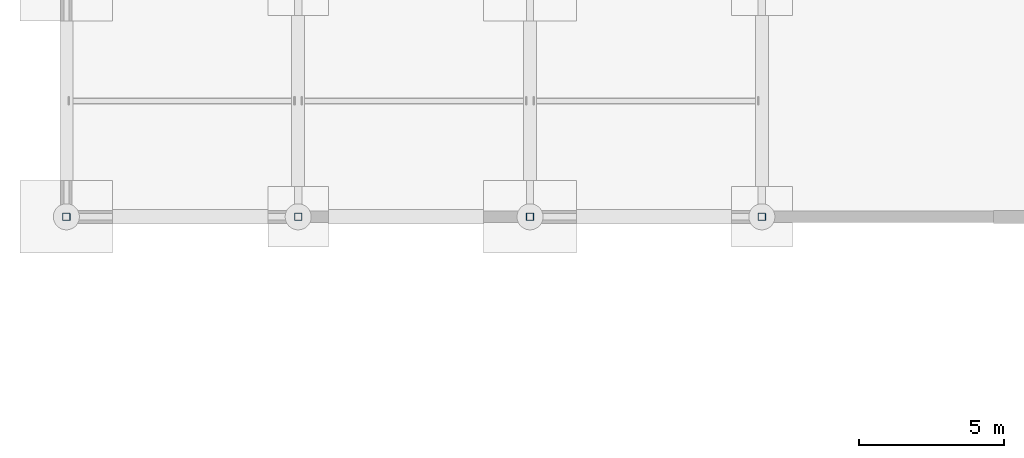
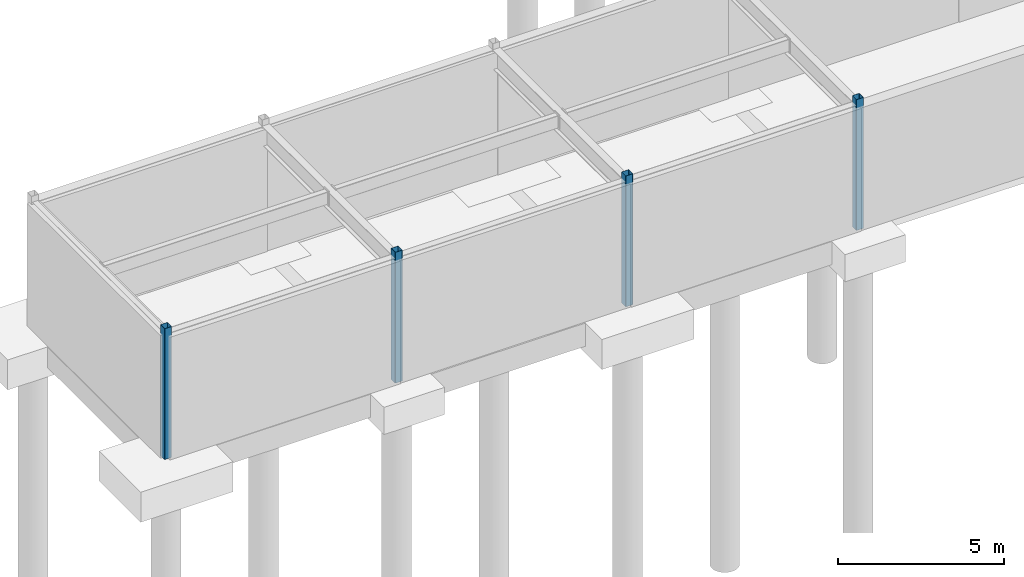
# One storey, part 15 of 105: 4 columns.
"""IFC4 building model written with IfcOpenShell, lengths in metres."""

from ifc_helpers import new_model, si_unit, direction, frame, origin, origin_2d, place, context, subcontext, project, spatial, hollow_rectangle, extrude, material, material_profile, profile_set, type_object, element, save


model = new_model("IFC4")

# Units and contexts
model_context = context("Model", 3, precision=1e-05, world=origin(), true_north=direction((0.0, 1.0)))
body_context = subcontext(model_context, "Body", "Model", "MODEL_VIEW")
ifc_project = project(units=[si_unit("LENGTHUNIT", "METRE"), si_unit("AREAUNIT", "SQUARE_METRE"), si_unit("VOLUMEUNIT", "CUBIC_METRE"), si_unit("PLANEANGLEUNIT", "RADIAN"), si_unit("MASSUNIT", "GRAM", prefix="KILO")], contexts=[model_context])

# Site, building, storey
site_placement = place(None, origin())
site = spatial("IfcSite", under=ifc_project, at=site_placement, CompositionType="ELEMENT")
building_placement = place(site_placement, origin())
building = spatial("IfcBuilding", under=site, at=building_placement, Name="Solmirada Galleria", CompositionType="ELEMENT")
storey_placement = place(building_placement, frame((0.0, 0.0, -4.800048828125)))
storey = spatial("IfcBuildingStorey", under=building, at=storey_placement, Name="B1", CompositionType="ELEMENT", Elevation=-4.800048828125)

# Columns
ifc_material = material(Name="Steel S355 / ASTM A500 Grade C", Category="steel")
ifc_material_profile = material_profile(ifc_material, hollow_rectangle(XDim=0.25390625, YDim=0.25390625, WallThickness=0.0087890625, InnerFilletRadius=0.0087890625, OuterFilletRadius=0.017822265625, at=origin_2d()), Name="HSS10X10X3/8")
ifc_profile_set = profile_set([ifc_material_profile], Name="Steel S355 / ASTM A500 Grade C")
column_type = type_object("IfcColumnType", Name="COL-HSS10", PredefinedType="COLUMN", material=ifc_profile_set)
for number, where, z_axis, x_axis, name in (
    (1, (8.0, 56.0, 0.0), (0.0, 0.0, 1.0), (1.0, 0.0, 0.0), "Structural column B1-0001"),
    (2, (16.0, 56.0, 0.0), (0.0, 0.0, 1.0), (1.0, 0.0, 0.0), "Structural column B1-0005"),
    (3, (24.0, 56.0, 0.0), (0.0, 0.0, 1.0), (1.0, 0.0, 0.0), "Structural column B1-0009"),
    (4, (32.0, 56.0, 0.0), (0.0, 0.0, 1.0), (1.0, 0.0, 0.0), "Structural column B1-0013"),
):
    element("IfcColumn", number, at=place(storey_placement, frame(where, z_axis=z_axis, x_axis=x_axis)), inside=storey, type_object=column_type, Name=name, PredefinedType="COLUMN", context=body_context, shape_type="SweptSolid", body=[
        extrude(hollow_rectangle(XDim=0.25390625, YDim=0.25390625, WallThickness=0.0087890625, InnerFilletRadius=0.0087890625, OuterFilletRadius=0.017822265625, at=origin_2d()), origin(), (0.0, 0.0, 1.0), 4.800048828125),
    ])

save(model, "model.ifc")
